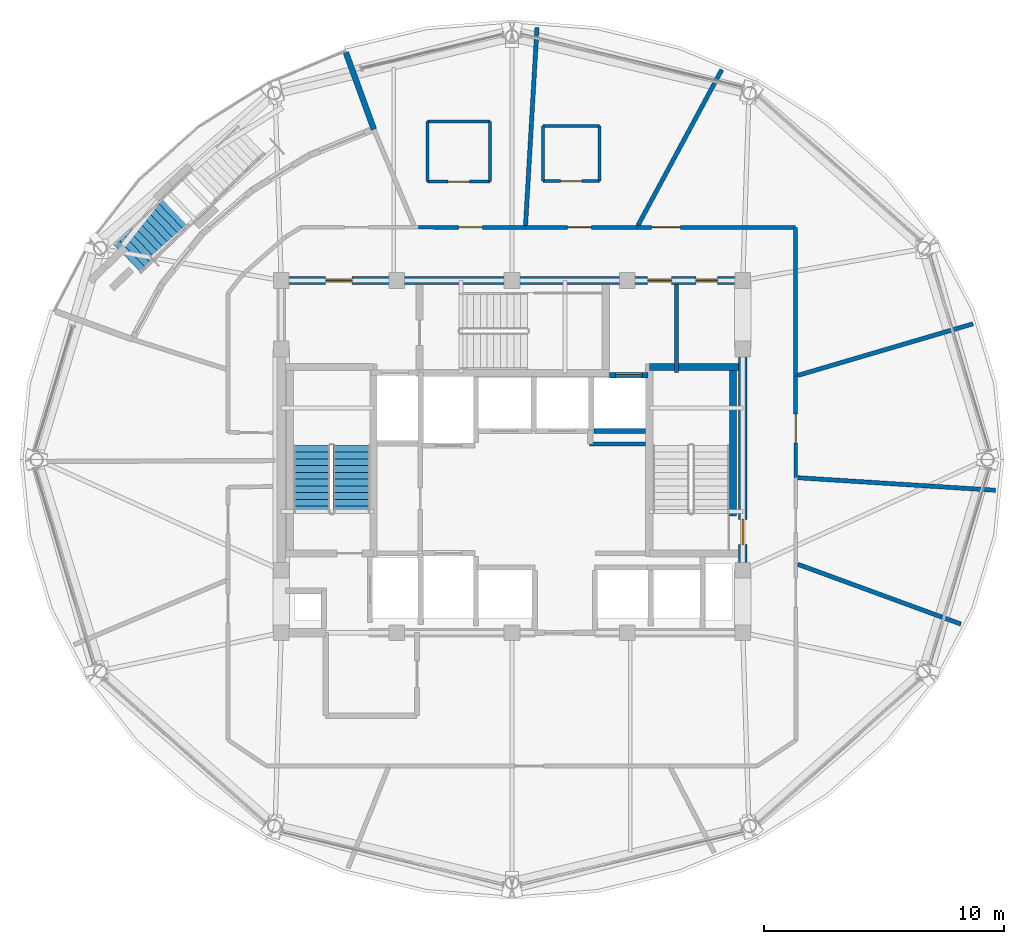
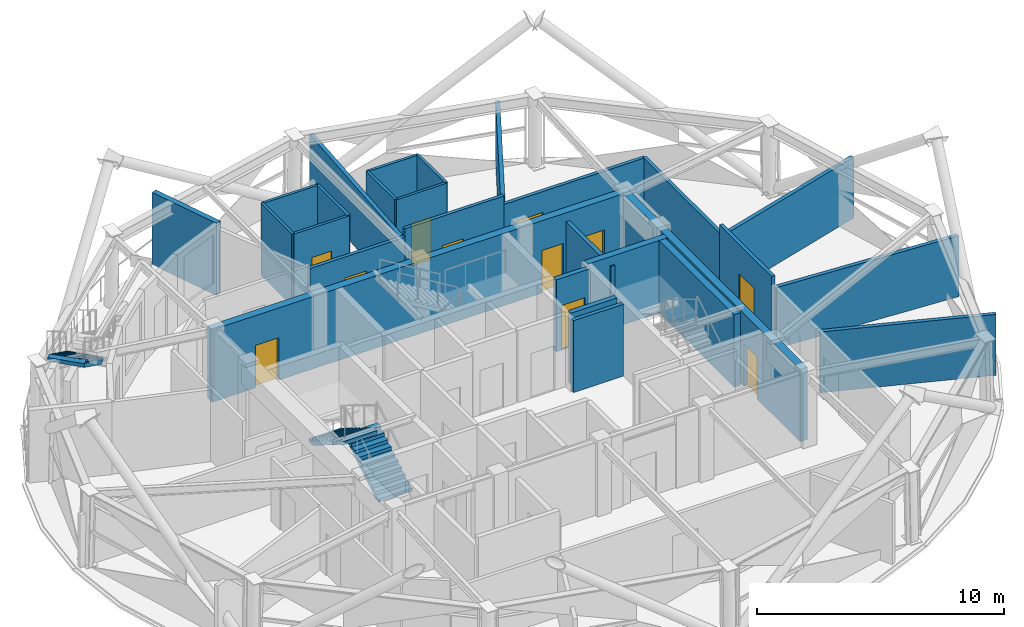
# One storey, part 10 of 16: 27 walls, 11 doors, 3 stair flights, 11 openings, 2 elements without a shape of their own.
"""IFC4 building model written with IfcOpenShell, lengths in metres."""

import ifcopenshell
import ifcopenshell.guid

model = None  # the IFC model being written
_history = None  # IfcOwnerHistory: only IFC2X3 demands one
_inside = {}  # id of a spatial element -> (the spatial element, [elements in it])
_under = {}  # id of a project, library or spatial element -> (it, [spatial elements below it])
_declared = {}  # id of a project -> (the project, [libraries it declares])
_typed = {}  # id of a type object -> (the type object, [elements of that type])
_made_of = {}  # id of a material, layer set ... -> (it, [elements and type objects made of it])


def new_model(schema):
    """Start an empty IFC model of exactly this schema.

    Asked for "IFC4X3", IfcOpenShell would pick the latest addendum, in which some entities
    have other attributes; the version numbers below select the first issue.
    IFC2X3 requires an IfcOwnerHistory on every rooted entity: one is made here for all.
    """
    global model, _history
    if schema == "IFC4X3":
        model = ifcopenshell.file(schema_version=(4, 3, 0, 0))
    else:
        model = ifcopenshell.file(schema=schema)
    _inside.clear()
    _under.clear()
    _declared.clear()
    _typed.clear()
    _made_of.clear()
    _history = None
    if model.schema == "IFC2X3":
        org = make("IfcOrganization", Name="unknown")
        user = make(
            "IfcPersonAndOrganization",
            ThePerson=make("IfcPerson", FamilyName="unknown"),
            TheOrganization=org,
        )
        app = make(
            "IfcApplication",
            ApplicationDeveloper=org,
            Version="unknown",
            ApplicationFullName="unknown",
            ApplicationIdentifier="unknown",
        )
        _history = make(
            "IfcOwnerHistory",
            OwningUser=user,
            OwningApplication=app,
            ChangeAction="ADDED",
            CreationDate=0,
        )
    return model


def make(cls, **values):
    """One entity of the class cls with the attributes given. An attribute that is None is left unset."""
    return model.create_entity(
        cls, **{name: value for name, value in values.items() if value is not None}
    )


def rooted(cls, **values):
    """An entity with a GlobalId (a new one), such as an element, a storey or a relation."""
    return make(cls, GlobalId=ifcopenshell.guid.new(), OwnerHistory=_history, **values)


def si_unit(unit_type, name, prefix=None):
    """IfcSIUnit, for example si_unit("LENGTHUNIT", "METRE", prefix="MILLI")."""
    return make("IfcSIUnit", UnitType=unit_type, Prefix=prefix, Name=name)


def assignment(units):
    """IfcUnitAssignment: the units of a project."""
    return None if units is None else make("IfcUnitAssignment", Units=units)


def point(xyz):
    """IfcCartesianPoint."""
    return None if xyz is None else make("IfcCartesianPoint", Coordinates=xyz)


def direction(xyz):
    """IfcDirection."""
    return None if xyz is None else make("IfcDirection", DirectionRatios=xyz)


def frame(location, z_axis=None, x_axis=None):
    """IfcAxis2Placement3D, a coordinate frame: its origin and axes. An axis left out is left unset."""
    return make(
        "IfcAxis2Placement3D",
        Location=point(location),
        Axis=direction(z_axis),
        RefDirection=direction(x_axis),
    )


def frame_2d(location, x_axis=None):
    """IfcAxis2Placement2D, a coordinate frame in the plane: its origin and x axis."""
    return make(
        "IfcAxis2Placement2D", Location=point(location), RefDirection=direction(x_axis)
    )


def origin():
    """The frame at (0, 0, 0) with its axes left unset."""
    return frame((0.0, 0.0, 0.0))


def place(relative_to, where):
    """IfcLocalPlacement: puts the frame where relative to a parent placement (None: the world)."""
    return make(
        "IfcLocalPlacement", PlacementRelTo=relative_to, RelativePlacement=where
    )


def context(
    kind, dimensions, precision=None, world=None, true_north=None, identifier=None
):
    """IfcGeometricRepresentationContext, for example the 3D "Model" context."""
    return make(
        "IfcGeometricRepresentationContext",
        ContextIdentifier=identifier,
        ContextType=kind,
        CoordinateSpaceDimension=dimensions,
        Precision=precision,
        WorldCoordinateSystem=world,
        TrueNorth=true_north,
    )


def subcontext(parent, identifier, kind, view, scale=None):
    """IfcGeometricRepresentationSubContext, for example "Body" below "Model"."""
    return make(
        "IfcGeometricRepresentationSubContext",
        ContextIdentifier=identifier,
        ContextType=kind,
        ParentContext=parent,
        TargetScale=scale,
        TargetView=view,
    )


def project(units=None, contexts=None):
    """IfcProject with its units and contexts."""
    return rooted(
        "IfcProject",
        Name="project",
        RepresentationContexts=contexts,
        UnitsInContext=assignment(units),
    )


def spatial(cls, under=None, at=None, **own):
    """A site, building, storey or space (cls), placed at a placement, below another one or the project."""
    s = rooted(cls, ObjectPlacement=at, **own)
    if under is not None:
        _under.setdefault(under.id(), (under, []))[1].append(s)
    return s


def polyline(points):
    """IfcPolyline through the points."""
    return make("IfcPolyline", Points=[point(p) for p in points])


def profile(cls, at=None, kind="AREA", **sizes):
    """A parametric profile (cls). Its sizes go by their IFC names, for example OverallWidth=200.0."""
    return make(cls, ProfileType=kind, Position=at, **sizes)


def rectangle(**sizes):
    """IfcRectangleProfileDef."""
    return profile("IfcRectangleProfileDef", **sizes)


def outline(outer, holes=None, kind="AREA"):
    """IfcArbitraryClosedProfileDef: a profile drawn as a closed curve; with holes, ...WithVoids."""
    if holes is None:
        return make("IfcArbitraryClosedProfileDef", ProfileType=kind, OuterCurve=outer)
    return make(
        "IfcArbitraryProfileDefWithVoids",
        ProfileType=kind,
        OuterCurve=outer,
        InnerCurves=holes,
    )


def extrude(swept, where, along, depth):
    """IfcExtrudedAreaSolid: the profile swept, set in the frame where, extruded along a direction by depth."""
    return make(
        "IfcExtrudedAreaSolid",
        SweptArea=swept,
        Position=where,
        ExtrudedDirection=direction(along),
        Depth=depth,
    )


def shape(context_of_items, identifier, shape_type, items):
    """IfcShapeRepresentation: the items that make up one representation, for example the "Body"."""
    return make(
        "IfcShapeRepresentation",
        ContextOfItems=context_of_items,
        RepresentationIdentifier=identifier,
        RepresentationType=shape_type,
        Items=items,
    )


def material(Name=None, Category=None):
    """IfcMaterial."""
    return make("IfcMaterial", Name=Name, Category=Category)


def layer(
    of_material, thickness, ventilated=None, Name=None, Category=None, Priority=None
):
    """IfcMaterialLayer: one layer of a wall or slab, of a material (None: an air gap)."""
    return make(
        "IfcMaterialLayer",
        Material=of_material,
        LayerThickness=thickness,
        IsVentilated=ventilated,
        Name=Name,
        Category=Category,
        Priority=Priority,
    )


def layer_set(layers, Name=None):
    """IfcMaterialLayerSet."""
    return make("IfcMaterialLayerSet", MaterialLayers=layers, LayerSetName=Name)


def made_of(thing, what):
    """Note that an element or type object is made of a material, layer set ...; save() writes the relation."""
    if what is not None:
        _made_of.setdefault(what.id(), (what, []))[1].append(thing)
    return thing


def type_object(cls, material=None, **own):
    """A type object (cls), such as IfcWallType, which elements share."""
    return made_of(rooted(cls, **own), material)


def element(
    cls,
    number,
    at=None,
    inside=None,
    cuts=None,
    type_object=None,
    material=None,
    context=None,
    identifier="Body",
    shape_type=None,
    held_by="IfcProductDefinitionShape",
    body=None,
    shapes=None,
    **own,
):
    """One element of the class cls, such as IfcWall. Its Tag is "e" and its number.

    at: its placement. inside: the storey or other place that contains it. cuts: it is an
    opening in that element (IfcRelVoidsElement). A single representation is given by context,
    identifier, shape_type and body (its items); several are given by shapes. held_by: the class
    of the entity that holds the representations. save() writes the other relations.
    """
    e = rooted(cls, Tag="e%d" % number, ObjectPlacement=at, **own)
    if body is not None:
        shapes = [shape(context, identifier, shape_type, body)]
    if shapes is not None:
        e.Representation = make(held_by, Representations=shapes)
    if inside is not None:
        _inside.setdefault(inside.id(), (inside, []))[1].append(e)
    if cuts is not None:
        rooted(
            "IfcRelVoidsElement", RelatingBuildingElement=cuts, RelatedOpeningElement=e
        )
    if type_object is not None:
        _typed.setdefault(type_object.id(), (type_object, []))[1].append(e)
    return made_of(e, material)


def fill(opening, filler):
    """IfcRelFillsElement: the door or window that sits in an opening."""
    return rooted(
        "IfcRelFillsElement",
        RelatingOpeningElement=opening,
        RelatedBuildingElement=filler,
    )


def aggregate(whole, parts):
    """IfcRelAggregates: a whole, such as a stair, and the parts it consists of."""
    return rooted("IfcRelAggregates", RelatingObject=whole, RelatedObjects=parts)


def save(model, path):
    """Write the relations noted so far, then the file.

    IfcRelAggregates (storeys below a building ...), IfcRelContainedInSpatialStructure (elements
    in a storey), IfcRelDefinesByType, IfcRelAssociatesMaterial and IfcRelDeclares: one each for
    every whole, place, type object, material and project.
    """
    for whole, parts in _under.values():
        aggregate(whole, parts)
    for where, things in _inside.values():
        rooted(
            "IfcRelContainedInSpatialStructure",
            RelatedElements=things,
            RelatingStructure=where,
        )
    for kind, things in _typed.values():
        rooted("IfcRelDefinesByType", RelatedObjects=things, RelatingType=kind)
    for what, things in _made_of.values():
        rooted("IfcRelAssociatesMaterial", RelatedObjects=things, RelatingMaterial=what)
    for by, libraries in _declared.values():
        rooted("IfcRelDeclares", RelatingContext=by, RelatedDefinitions=libraries)
    model.write(path)


model = new_model("IFC4")

# Units and contexts
model_context = context("Model", 3, precision=1e-05, world=origin(), true_north=direction((0.0, 1.0)))
body_context = subcontext(model_context, "Body", "Model", "MODEL_VIEW")
ifc_project = project(units=[si_unit("LENGTHUNIT", "METRE"), si_unit("AREAUNIT", "SQUARE_METRE"), si_unit("VOLUMEUNIT", "CUBIC_METRE"), si_unit("PLANEANGLEUNIT", "RADIAN"), si_unit("MASSUNIT", "GRAM", prefix="KILO")], contexts=[model_context])

# Site, building, storey
site_placement = place(None, origin())
site = spatial("IfcSite", under=ifc_project, at=site_placement, CompositionType="ELEMENT")
building_placement = place(site_placement, origin())
building = spatial("IfcBuilding", under=site, at=building_placement, Name="Vantalir Tower", CompositionType="ELEMENT")
storey_placement = place(building_placement, frame((0.0, 0.0, 267.60009765625)))
storey = spatial("IfcBuildingStorey", under=building, at=storey_placement, Name="L67", CompositionType="ELEMENT", Elevation=267.60009765625)

# Wall, opening, door
ifc_material_1 = material(Name="Moisture-resistant en-suite partition", Category="gypsum")
ifc_layer_1 = layer(ifc_material_1, 0.125)
ifc_layer_set_1 = layer_set([ifc_layer_1], Name="Moisture-resistant en-suite partition")
wall_type_1 = type_object("IfcWallType", Name="WL-BATH-125", PredefinedType="PARTITIONING", material=ifc_layer_set_1)
wall_1_placement = place(storey_placement, frame((32.7958984375, 36.5810546875, 0.0), z_axis=(0.0, 0.0, 1.0), x_axis=(1.0, 0.0, 0.0)))
wall_1 = element("IfcWall", 1, at=wall_1_placement, inside=storey, type_object=wall_type_1, Name="L67 En-suite 02 South Wall", PredefinedType="PARTITIONING", context=body_context, shape_type="SweptSolid", body=[
    extrude(rectangle(XDim=2.35009765625, YDim=0.125, at=frame_2d((1.175048828125, 0.0))), origin(), (0.0, 0.0, 1.0), 3.5498046875),
])
opening_1_placement = place(wall_1_placement, frame((0.72509765625, 0.0, 0.0)))
opening_1 = element("IfcOpeningElement", 2, at=opening_1_placement, cuts=wall_1, Name="Opening D-WC", PredefinedType="OPENING", context=body_context, shape_type="SweptSolid", body=[
    extrude(rectangle(XDim=0.89990234375, YDim=2.10009765625, at=frame_2d((0.449951171875, 1.050048828125))), frame((0.0, 0.072509765625, 0.0), z_axis=(0.0, -1.0, 0.0), x_axis=(1.0, 0.0, 0.0)), (0.0, 0.0, 1.0), 0.14501953125),
])
ifc_material_2 = material(Name="Moisture-resistant hardwood door", Category="wood")
door_type_1 = type_object("IfcDoorType", Name="DR-ENSUITE-900", OperationType="NOTDEFINED", PredefinedType="DOOR", material=ifc_material_2)
door_1_placement = place(opening_1_placement, origin())
door_1 = element("IfcDoor", 3, at=door_1_placement, inside=storey, type_object=door_type_1, Name="L67 En-suite 02 Door", OperationType="SINGLE_SWING_RIGHT", OverallHeight=2.10009765625, OverallWidth=0.89990234375, PredefinedType="DOOR", context=body_context, shape_type="SweptSolid", body=[
    extrude(rectangle(XDim=0.89990234375, YDim=2.10009765625, at=frame_2d((0.449951171875, 1.050048828125))), frame((0.0, 0.02490234375, 0.0), z_axis=(0.0, -1.0, 0.0), x_axis=(1.0, 0.0, 0.0)), (0.0, 0.0, 1.0), 0.050048828125),
])
fill(opening_1, door_1)

# Walls
wall_2_placement = place(storey_placement, frame((32.7958984375, 38.881103515625, 0.0), z_axis=(0.0, 0.0, 1.0), x_axis=(1.0, 0.0, 0.0)))
element("IfcWall", 4, at=wall_2_placement, inside=storey, type_object=wall_type_1, Name="L67 En-suite 02 North Wall", PredefinedType="PARTITIONING", context=body_context, shape_type="SweptSolid", body=[
    extrude(rectangle(XDim=2.35009765625, YDim=0.125, at=frame_2d((1.175048828125, 0.0))), origin(), (0.0, 0.0, 1.0), 3.5498046875),
])
for number, where, z_axis, x_axis, name in (
    (5, (32.7958984375, 36.5810546875, 0.0), (0.0, 0.0, 1.0), (0.0, 1.0, 0.0), "L67 En-suite 02 West Wall"),
    (6, (35.14599609375, 36.5810546875, 0.0), (0.0, 0.0, 1.0), (0.0, 1.0, 0.0), "L67 En-suite 02 East Wall"),
):
    element("IfcWall", number, at=place(storey_placement, frame(where, z_axis=z_axis, x_axis=x_axis)), inside=storey, type_object=wall_type_1, Name=name, PredefinedType="PARTITIONING", context=body_context, shape_type="SweptSolid", body=[
        extrude(rectangle(XDim=2.300048828125, YDim=0.125, at=frame_2d((1.14990234375, 0.0))), origin(), (0.0, 0.0, 1.0), 3.5498046875),
    ])

# Wall, opening, door
wall_3_placement = place(storey_placement, frame((27.98388671875, 36.56103515625, 0.0), z_axis=(0.0, 0.0, 1.0), x_axis=(1.0, 0.0, 0.0)))
wall_3 = element("IfcWall", 7, at=wall_3_placement, inside=storey, type_object=wall_type_1, Name="L67 En-suite 03 South Wall", PredefinedType="PARTITIONING", context=body_context, shape_type="SweptSolid", body=[
    extrude(rectangle(XDim=2.60009765625, YDim=0.125, at=frame_2d((1.300048828125, 0.0))), origin(), (0.0, 0.0, 1.0), 3.5498046875),
])
opening_2_placement = place(wall_3_placement, frame((0.85009765625, 0.0, 0.0)))
opening_2 = element("IfcOpeningElement", 8, at=opening_2_placement, cuts=wall_3, Name="Opening D-WC", PredefinedType="OPENING", context=body_context, shape_type="SweptSolid", body=[
    extrude(rectangle(XDim=0.89990234375, YDim=2.10009765625, at=frame_2d((0.449951171875, 1.050048828125))), frame((0.0, 0.072509765625, 0.0), z_axis=(0.0, -1.0, 0.0), x_axis=(1.0, 0.0, 0.0)), (0.0, 0.0, 1.0), 0.14501953125),
])
door_2_placement = place(opening_2_placement, origin())
door_2 = element("IfcDoor", 9, at=door_2_placement, inside=storey, type_object=door_type_1, Name="L67 En-suite 03 Door", OperationType="SINGLE_SWING_LEFT", OverallHeight=2.10009765625, OverallWidth=0.89990234375, PredefinedType="DOOR", context=body_context, shape_type="SweptSolid", body=[
    extrude(rectangle(XDim=0.89990234375, YDim=2.10009765625, at=frame_2d((0.449951171875, 1.050048828125))), frame((0.0, 0.02490234375, 0.0), z_axis=(0.0, -1.0, 0.0), x_axis=(1.0, 0.0, 0.0)), (0.0, 0.0, 1.0), 0.050048828125),
])
fill(opening_2, door_2)

# Walls
wall_4_placement = place(storey_placement, frame((27.98388671875, 39.06103515625, 0.0), z_axis=(0.0, 0.0, 1.0), x_axis=(1.0, 0.0, 0.0)))
element("IfcWall", 10, at=wall_4_placement, inside=storey, type_object=wall_type_1, Name="L67 En-suite 03 North Wall", PredefinedType="PARTITIONING", context=body_context, shape_type="SweptSolid", body=[
    extrude(rectangle(XDim=2.60009765625, YDim=0.125, at=frame_2d((1.300048828125, 0.0))), origin(), (0.0, 0.0, 1.0), 3.5498046875),
])
for number, where, z_axis, x_axis, name in (
    (11, (27.98388671875, 36.56103515625, 0.0), (0.0, 0.0, 1.0), (0.0, 1.0, 0.0), "L67 En-suite 03 West Wall"),
    (12, (30.583984375, 36.56103515625, 0.0), (0.0, 0.0, 1.0), (0.0, 1.0, 0.0), "L67 En-suite 03 East Wall"),
):
    element("IfcWall", number, at=place(storey_placement, frame(where, z_axis=z_axis, x_axis=x_axis)), inside=storey, type_object=wall_type_1, Name=name, PredefinedType="PARTITIONING", context=body_context, shape_type="SweptSolid", body=[
        extrude(rectangle(XDim=2.5, YDim=0.125, at=frame_2d((1.25, 0.0))), origin(), (0.0, 0.0, 1.0), 3.5498046875),
    ])

# Wall, openings, doors
ifc_material_3 = material(Name="Concrete C50/60", Category="concrete")
ifc_layer_2 = layer(ifc_material_3, 0.35009765625)
ifc_layer_set_2 = layer_set([ifc_layer_2], Name="Concrete C50/60")
wall_type_2 = type_object("IfcWallType", Name="WL-CORE-350", PredefinedType="SHEAR", material=ifc_layer_set_2)
wall_5_placement = place(storey_placement, frame((21.72509765625, 32.449951171875, 0.0), z_axis=(0.0, 0.0, 1.0), x_axis=(1.0, 0.0, 0.0)))
wall_5 = element("IfcWall", 13, at=wall_5_placement, inside=storey, type_object=wall_type_2, Name="L67 Core Shear Wall North", PredefinedType="SHEAR", context=body_context, shape_type="SweptSolid", body=[
    extrude(rectangle(XDim=19.5498046875, YDim=0.35009765625, at=frame_2d((9.77490234375, 0.0))), origin(), (0.0, 0.0, 1.0), 3.56982421875),
])
opening_3_placement = place(wall_5_placement, frame((2.02490234375, 0.0, 0.0)))
opening_3 = element("IfcOpeningElement", 14, at=opening_3_placement, cuts=wall_5, Name="Opening D-FFL", PredefinedType="OPENING", context=body_context, shape_type="SweptSolid", body=[
    extrude(rectangle(XDim=1.10009765625, YDim=2.10009765625, at=frame_2d((0.550048828125, 1.050048828125))), frame((0.0, 0.18505859375, 0.0), z_axis=(0.0, -1.0, 0.0), x_axis=(1.0, 0.0, 0.0)), (0.0, 0.0, 1.0), 0.3701171875),
])
opening_4_placement = place(wall_5_placement, frame((15.4150390625, 0.0, 0.0)))
opening_4 = element("IfcOpeningElement", 15, at=opening_4_placement, cuts=wall_5, Name="Opening D-GUEST", PredefinedType="OPENING", context=body_context, shape_type="SweptSolid", body=[
    extrude(rectangle(XDim=1.0, YDim=2.10009765625, at=frame_2d((0.5, 1.050048828125))), frame((0.0, 0.18505859375, 0.0), z_axis=(0.0, -1.0, 0.0), x_axis=(1.0, 0.0, 0.0)), (0.0, 0.0, 1.0), 0.3701171875),
])
opening_5_placement = place(wall_5_placement, frame((17.425048828125, 0.0, 0.0)))
opening_5 = element("IfcOpeningElement", 16, at=opening_5_placement, cuts=wall_5, Name="Opening D-CR", PredefinedType="OPENING", context=body_context, shape_type="SweptSolid", body=[
    extrude(rectangle(XDim=0.89990234375, YDim=2.10009765625, at=frame_2d((0.449951171875, 1.050048828125))), frame((0.0, 0.18505859375, 0.0), z_axis=(0.0, -1.0, 0.0), x_axis=(1.0, 0.0, 0.0)), (0.0, 0.0, 1.0), 0.3701171875),
])
ifc_material_4 = material(Name="Fire-rated steel core service door", Category="steel")
door_type_2 = type_object("IfcDoorType", Name="DR-CORE-SERV-900", OperationType="NOTDEFINED", PredefinedType="DOOR", material=ifc_material_4)
door_3_placement = place(opening_5_placement, frame((0.89990234375, 0.0, 0.0), z_axis=(0.0, 0.0, 1.0), x_axis=(-1.0, 0.0, 0.0)))
door_3 = element("IfcDoor", 17, at=door_3_placement, inside=storey, type_object=door_type_2, Name="L67 Housekeeping and Linen Room Door", OperationType="SINGLE_SWING_RIGHT", OverallHeight=2.10009765625, OverallWidth=0.89990234375, PredefinedType="DOOR", context=body_context, shape_type="SweptSolid", body=[
    extrude(rectangle(XDim=0.89990234375, YDim=2.10009765625, at=frame_2d((0.449951171875, 1.050048828125))), frame((0.0, 0.02490234375, 0.0), z_axis=(0.0, -1.0, 0.0), x_axis=(1.0, 0.0, 0.0)), (0.0, 0.0, 1.0), 0.050048828125),
])
fill(opening_5, door_3)
ifc_material_5 = material(Name="Fire-rated acoustic steel door", Category="steel")
door_type_3 = type_object("IfcDoorType", Name="DR-FIRE-LOBBY-1100", OperationType="NOTDEFINED", PredefinedType="DOOR", material=ifc_material_5)
door_4_placement = place(opening_3_placement, frame((1.10009765625, 0.0, 0.0), z_axis=(0.0, 0.0, 1.0), x_axis=(-1.0, 0.0, 0.0)))
door_4 = element("IfcDoor", 18, at=door_4_placement, inside=storey, type_object=door_type_3, Name="L67 Firefighting Lobby East Access Door", OperationType="SINGLE_SWING_LEFT", OverallHeight=2.10009765625, OverallWidth=1.10009765625, PredefinedType="DOOR", context=body_context, shape_type="SweptSolid", body=[
    extrude(rectangle(XDim=1.10009765625, YDim=2.10009765625, at=frame_2d((0.550048828125, 1.050048828125))), frame((0.0, 0.02490234375, 0.0), z_axis=(0.0, -1.0, 0.0), x_axis=(1.0, 0.0, 0.0)), (0.0, 0.0, 1.0), 0.050048828125),
])
fill(opening_3, door_4)
ifc_material_6 = material(Name="Solid-core teak veneer acoustic fire door", Category="wood")
door_type_4 = type_object("IfcDoorType", Name="DR-GUEST-ENTRY-1000", OperationType="NOTDEFINED", PredefinedType="DOOR", material=ifc_material_6)
door_5_placement = place(opening_4_placement, frame((1.0, 0.0, 0.0), z_axis=(0.0, 0.0, 1.0), x_axis=(-1.0, 0.0, 0.0)))
door_5 = element("IfcDoor", 19, at=door_5_placement, inside=storey, type_object=door_type_4, Name="L67 High-Rise Lift Lobby Door", OperationType="SINGLE_SWING_LEFT", OverallHeight=2.10009765625, OverallWidth=1.0, PredefinedType="DOOR", context=body_context, shape_type="SweptSolid", body=[
    extrude(rectangle(XDim=1.0, YDim=2.10009765625, at=frame_2d((0.5, 1.050048828125))), frame((0.0, 0.02490234375, 0.0), z_axis=(0.0, -1.0, 0.0), x_axis=(1.0, 0.0, 0.0)), (0.0, 0.0, 1.0), 0.050048828125),
])
fill(opening_4, door_5)

# Wall, opening, door
wall_6_placement = place(storey_placement, frame((41.10009765625, 17.97509765625, 0.0), z_axis=(0.0, 0.0, 1.0), x_axis=(0.0, 1.0, 0.0)))
wall_6 = element("IfcWall", 20, at=wall_6_placement, inside=storey, type_object=wall_type_2, Name="L67 Core Shear Wall East", PredefinedType="SHEAR", context=body_context, shape_type="SweptSolid", body=[
    extrude(rectangle(XDim=14.2998046875, YDim=0.35009765625, at=frame_2d((7.14990234375, 0.0))), origin(), (0.0, 0.0, 1.0), 3.56982421875),
])
opening_6_placement = place(wall_6_placement, frame((3.485107421875, 0.0, 0.0)))
opening_6 = element("IfcOpeningElement", 21, at=opening_6_placement, cuts=wall_6, Name="Opening D-ST", PredefinedType="OPENING", context=body_context, shape_type="SweptSolid", body=[
    extrude(rectangle(XDim=1.050048828125, YDim=2.10009765625, at=frame_2d((0.52490234375, 1.050048828125))), frame((0.0, 0.18505859375, 0.0), z_axis=(0.0, -1.0, 0.0), x_axis=(1.0, 0.0, 0.0)), (0.0, 0.0, 1.0), 0.3701171875),
])
ifc_material_7 = material(Name="Fire-rated steel door leaf", Category="steel")
door_type_5 = type_object("IfcDoorType", Name="DR-FIRE-STAIR-1050", OperationType="NOTDEFINED", PredefinedType="DOOR", material=ifc_material_7)
door_6_placement = place(opening_6_placement, origin())
door_6 = element("IfcDoor", 22, at=door_6_placement, inside=storey, type_object=door_type_5, Name="L67 Exit Stair ST2 Fire Door", OperationType="SINGLE_SWING_LEFT", OverallHeight=2.10009765625, OverallWidth=1.050048828125, PredefinedType="DOOR", context=body_context, shape_type="SweptSolid", body=[
    extrude(rectangle(XDim=1.050048828125, YDim=2.10009765625, at=frame_2d((0.52490234375, 1.050048828125))), frame((0.0, 0.02490234375, 0.0), z_axis=(0.0, -1.0, 0.0), x_axis=(1.0, 0.0, 0.0)), (0.0, 0.0, 1.0), 0.050048828125),
])
fill(opening_6, door_6)

ifc_material_8 = material(Name="Fire-rated hotel corridor acoustic partition", Category="gypsum")
ifc_layer_3 = layer(ifc_material_8, 0.159912109375)
ifc_layer_set_3 = layer_set([ifc_layer_3], Name="Fire-rated hotel corridor acoustic partition")
wall_type_3 = type_object("IfcWallType", Name="WL-CORR-160", PredefinedType="PARTITIONING", material=ifc_layer_set_3)
wall_7_placement = place(storey_placement, frame((27.62109375, 34.662109375, 0.0), z_axis=(0.0, 0.0, 1.0), x_axis=(0.999999962172, -0.000275057752, 0.0)))
wall_7 = element("IfcWall", 23, at=wall_7_placement, inside=storey, type_object=wall_type_3, Name="L67 Corridor Partition 08", PredefinedType="PARTITIONING", context=body_context, shape_type="SweptSolid", body=[
    extrude(rectangle(XDim=4.43798828125, YDim=0.159912109375, at=frame_2d((2.218994140625, 0.0))), origin(), (0.0, 0.0, 1.0), 3.1318359375),
])
opening_7_placement = place(wall_7_placement, frame((1.64501953125, 0.0, 0.0)))
opening_7 = element("IfcOpeningElement", 24, at=opening_7_placement, cuts=wall_7, Name="Opening D-GUEST", PredefinedType="OPENING", context=body_context, shape_type="SweptSolid", body=[
    extrude(rectangle(XDim=1.0, YDim=2.10009765625, at=frame_2d((0.5, 1.050048828125))), frame((0.0, 0.08984375, 0.0), z_axis=(0.0, -1.0, 0.0), x_axis=(1.0, 0.0, 0.0)), (0.0, 0.0, 1.0), 0.179931640625),
])
door_7_placement = place(opening_7_placement, origin())
door_7 = element("IfcDoor", 25, at=door_7_placement, inside=storey, type_object=door_type_4, Name="L67 Twin Queen Hotel Room 03 Door", OperationType="SINGLE_SWING_LEFT", OverallHeight=2.10009765625, OverallWidth=1.0, PredefinedType="DOOR", context=body_context, shape_type="SweptSolid", body=[
    extrude(rectangle(XDim=1.0, YDim=2.10009765625, at=frame_2d((0.5, 1.050048828125))), frame((0.0, 0.02490234375, 0.0), z_axis=(0.0, -1.0, 0.0), x_axis=(1.0, 0.0, 0.0)), (0.0, 0.0, 1.0), 0.050048828125),
])
fill(opening_7, door_7)

wall_8_placement = place(storey_placement, frame((32.05908203125, 34.660888671875, 0.0), z_axis=(0.0, 0.0, 1.0), x_axis=(1.0, 0.0, 0.0)))
wall_8 = element("IfcWall", 26, at=wall_8_placement, inside=storey, type_object=wall_type_3, Name="L67 Corridor Partition 09", PredefinedType="PARTITIONING", context=body_context, shape_type="SweptSolid", body=[
    extrude(rectangle(XDim=4.637939453125, YDim=0.159912109375, at=frame_2d((2.31884765625, 0.0))), origin(), (0.0, 0.0, 1.0), 3.5498046875),
])
opening_8_placement = place(wall_8_placement, frame((1.7470703125, 0.0, 0.0)))
opening_8 = element("IfcOpeningElement", 27, at=opening_8_placement, cuts=wall_8, Name="Opening D-GUEST", PredefinedType="OPENING", context=body_context, shape_type="SweptSolid", body=[
    extrude(rectangle(XDim=1.0, YDim=2.10009765625, at=frame_2d((0.5, 1.050048828125))), frame((0.0, 0.08984375, 0.0), z_axis=(0.0, -1.0, 0.0), x_axis=(1.0, 0.0, 0.0)), (0.0, 0.0, 1.0), 0.179931640625),
])
door_8_placement = place(opening_8_placement, origin())
door_8 = element("IfcDoor", 28, at=door_8_placement, inside=storey, type_object=door_type_4, Name="L67 Deluxe King Hotel Room 02 Door", OperationType="SINGLE_SWING_RIGHT", OverallHeight=2.10009765625, OverallWidth=1.0, PredefinedType="DOOR", context=body_context, shape_type="SweptSolid", body=[
    extrude(rectangle(XDim=1.0, YDim=2.10009765625, at=frame_2d((0.5, 1.050048828125))), frame((0.0, 0.02490234375, 0.0), z_axis=(0.0, -1.0, 0.0), x_axis=(1.0, 0.0, 0.0)), (0.0, 0.0, 1.0), 0.050048828125),
])
fill(opening_8, door_8)

wall_9_placement = place(storey_placement, frame((36.697021484375, 34.660888671875, 0.0), z_axis=(0.0, 0.0, 1.0), x_axis=(0.999999989043, -0.00014803301, 0.0)))
wall_9 = element("IfcWall", 29, at=wall_9_placement, inside=storey, type_object=wall_type_3, Name="L67 Corridor Partition 10", PredefinedType="PARTITIONING", context=body_context, shape_type="SweptSolid", body=[
    extrude(rectangle(XDim=6.596923828125, YDim=0.159912109375, at=frame_2d((3.29833984375, 0.0))), origin(), (0.0, 0.0, 1.0), 3.1318359375),
])
opening_9_placement = place(wall_9_placement, frame((0.60791015625, 0.0, 0.0)))
opening_9 = element("IfcOpeningElement", 30, at=opening_9_placement, cuts=wall_9, Name="Opening D-STE", PredefinedType="OPENING", context=body_context, shape_type="SweptSolid", body=[
    extrude(rectangle(XDim=1.199951171875, YDim=2.10009765625, at=frame_2d((0.60009765625, 1.050048828125))), frame((0.0, 0.08984375, 0.0), z_axis=(0.0, -1.0, 0.0), x_axis=(1.0, 0.0, 0.0)), (0.0, 0.0, 1.0), 0.179931640625),
])
ifc_material_9 = material(Name="Solid-core teak veneer suite entrance door", Category="wood")
door_type_6 = type_object("IfcDoorType", Name="DR-SUITE-ENTRY-1200", OperationType="NOTDEFINED", PredefinedType="DOOR", material=ifc_material_9)
door_9_placement = place(opening_9_placement, origin())
door_9 = element("IfcDoor", 31, at=door_9_placement, inside=storey, type_object=door_type_6, Name="L67 Club Reading Lounge 01 Door", OperationType="SINGLE_SWING_LEFT", OverallHeight=2.10009765625, OverallWidth=1.199951171875, PredefinedType="DOOR", context=body_context, shape_type="SweptSolid", body=[
    extrude(rectangle(XDim=1.199951171875, YDim=2.10009765625, at=frame_2d((0.60009765625, 1.050048828125))), frame((0.0, 0.02490234375, 0.0), z_axis=(0.0, -1.0, 0.0), x_axis=(1.0, 0.0, 0.0)), (0.0, 0.0, 1.0), 0.050048828125),
])
fill(opening_9, door_9)

# Wall
wall_10_placement = place(storey_placement, frame((43.2939453125, 34.659912109375, 0.0), z_axis=(0.0, 0.0, 1.0), x_axis=(0.00067106131, -0.999999774838, 0.0)))
element("IfcWall", 32, at=wall_10_placement, inside=storey, type_object=wall_type_3, Name="L67 Corridor Partition 11", PredefinedType="PARTITIONING", context=body_context, shape_type="SweptSolid", body=[
    extrude(rectangle(XDim=6.184814453125, YDim=0.159912109375, at=frame_2d((3.09228515625, 0.0))), origin(), (0.0, 0.0, 1.0), 3.1318359375),
])

# Wall, opening, door
wall_11_placement = place(storey_placement, frame((43.298095703125, 28.47509765625, 0.0), z_axis=(0.0, 0.0, 1.0), x_axis=(0.000693721651, -0.999999759375, 0.0)))
wall_11 = element("IfcWall", 33, at=wall_11_placement, inside=storey, type_object=wall_type_3, Name="L67 Corridor Partition 12", PredefinedType="PARTITIONING", context=body_context, shape_type="SweptSolid", body=[
    extrude(rectangle(XDim=4.22314453125, YDim=0.159912109375, at=frame_2d((2.111572265625, 0.0))), origin(), (0.0, 0.0, 1.0), 3.5498046875),
])
opening_10_placement = place(wall_11_placement, frame((1.5830078125, 0.0, 0.0)))
opening_10 = element("IfcOpeningElement", 34, at=opening_10_placement, cuts=wall_11, Name="Opening D-STE", PredefinedType="OPENING", context=body_context, shape_type="SweptSolid", body=[
    extrude(rectangle(XDim=1.199951171875, YDim=2.10009765625, at=frame_2d((0.60009765625, 1.050048828125))), frame((0.0, 0.08984375, 0.0), z_axis=(0.0, -1.0, 0.0), x_axis=(1.0, 0.0, 0.0)), (0.0, 0.0, 1.0), 0.179931640625),
])
door_10_placement = place(opening_10_placement, origin())
door_10 = element("IfcDoor", 35, at=door_10_placement, inside=storey, type_object=door_type_6, Name="L67 Club Reading Lounge 11 Door", OperationType="SINGLE_SWING_LEFT", OverallHeight=2.10009765625, OverallWidth=1.199951171875, PredefinedType="DOOR", context=body_context, shape_type="SweptSolid", body=[
    extrude(rectangle(XDim=1.199951171875, YDim=2.10009765625, at=frame_2d((0.60009765625, 1.050048828125))), frame((0.0, 0.02490234375, 0.0), z_axis=(0.0, -1.0, 0.0), x_axis=(1.0, 0.0, 0.0)), (0.0, 0.0, 1.0), 0.050048828125),
])
fill(opening_10, door_10)

# Walls
ifc_material_10 = material(Name="Precast concrete C40/50 insulated sky-garden wall", Category="concrete")
ifc_layer_4 = layer(ifc_material_10, 0.239990234375)
ifc_layer_set_4 = layer_set([ifc_layer_4], Name="Precast concrete C40/50 insulated sky-garden wall")
wall_type_4 = type_object("IfcWallType", Name="WL-EXT-SG-240", PredefinedType="SOLIDWALL", material=ifc_layer_set_4)
wall_12_placement = place(storey_placement, frame((24.591064453125, 41.93408203125, 0.0), z_axis=(0.0, 0.0, 1.0), x_axis=(0.342002487902, -0.939699046647, 0.0)))
element("IfcWall", 36, at=wall_12_placement, inside=storey, type_object=wall_type_4, Name="L67 SG4 Sky-Garden Return Wall A", PredefinedType="SOLIDWALL", context=body_context, shape_type="SweptSolid", body=[
    extrude(rectangle(XDim=3.400146484375, YDim=0.239990234375, at=frame_2d((1.7001953125, 0.0))), origin(), (0.0, 0.0, 1.0), 3.56982421875),
])
ifc_material_11 = material(Name="Concrete blockwork with fireboard lining", Category="masonry")
ifc_layer_5 = layer(ifc_material_11, 0.219970703125)
ifc_layer_set_5 = layer_set([ifc_layer_5], Name="Concrete blockwork with fireboard lining")
wall_type_5 = type_object("IfcWallType", Name="WL-FFL-220", PredefinedType="PARTITIONING", material=ifc_layer_set_5)
wall_13_placement = place(storey_placement, frame((34.909912109375, 26.18994140625, 0.0), z_axis=(0.0, 0.0, 1.0), x_axis=(1.0, 0.0, 0.0)))
element("IfcWall", 37, at=wall_13_placement, inside=storey, type_object=wall_type_5, Name="L67 High-Rise Lift PL-H3 Rear Shaft Wall", PredefinedType="PARTITIONING", context=body_context, shape_type="SweptSolid", body=[
    extrude(rectangle(XDim=2.14013671875, YDim=0.219970703125, at=frame_2d((1.070068359375, 0.0))), origin(), (0.0, 0.0, 1.0), 3.544921875),
])

# Wall, opening, door
wall_14_placement = place(storey_placement, frame((35.56005859375, 28.510009765625, 0.0), z_axis=(0.0, 0.0, 1.0), x_axis=(1.0, 0.0, 0.0)))
wall_14 = element("IfcWall", 38, at=wall_14_placement, inside=storey, type_object=wall_type_5, Name="L67 Lift PL-H3 Shaft Front Wall", PredefinedType="PARTITIONING", context=body_context, shape_type="SweptSolid", body=[
    extrude(rectangle(XDim=1.599853515625, YDim=0.219970703125, at=frame_2d((0.7998046875, 0.0))), origin(), (0.0, 0.0, 1.0), 3.5498046875),
])
opening_11_placement = place(wall_14_placement, frame((0.25, 0.0, 0.0)))
opening_11 = element("IfcOpeningElement", 39, at=opening_11_placement, cuts=wall_14, Name="Opening LD-PL-H3", PredefinedType="OPENING", context=body_context, shape_type="SweptSolid", body=[
    extrude(rectangle(XDim=1.10009765625, YDim=2.199951171875, at=frame_2d((0.550048828125, 1.10009765625))), frame((0.0, 0.119873046875, 0.0), z_axis=(0.0, -1.0, 0.0), x_axis=(1.0, 0.0, 0.0)), (0.0, 0.0, 1.0), 0.239990234375),
])
ifc_material_12 = material(Name="Brushed stainless-steel sliding lift landing door", Category="steel")
door_type_7 = type_object("IfcDoorType", Name="DR-LIFT-LANDING-1100", OperationType="DOUBLE_DOOR_SLIDING", PredefinedType="DOOR", material=ifc_material_12)
door_11_placement = place(opening_11_placement, origin())
door_11 = element("IfcDoor", 40, at=door_11_placement, inside=storey, type_object=door_type_7, Name="L67 Lift Landing Door PL-H3", OperationType="DOUBLE_DOOR_SLIDING", OverallHeight=2.199951171875, OverallWidth=1.10009765625, PredefinedType="DOOR", context=body_context, shape_type="SweptSolid", body=[
    extrude(rectangle(XDim=1.10009765625, YDim=2.199951171875, at=frame_2d((0.550048828125, 1.10009765625))), frame((0.0, 0.02490234375, 0.0), z_axis=(0.0, -1.0, 0.0), x_axis=(1.0, 0.0, 0.0)), (0.0, 0.0, 1.0), 0.050048828125),
])
fill(opening_11, door_11)

# Walls
ifc_material_13 = material(Name="Twin-stud acoustic fire-rated gypsum partition", Category="gypsum")
ifc_layer_6 = layer(ifc_material_13, 0.179931640625)
ifc_layer_set_6 = layer_set([ifc_layer_6], Name="Twin-stud acoustic fire-rated gypsum partition")
wall_type_6 = type_object("IfcWallType", Name="WL-GUEST-180", PredefinedType="PARTITIONING", material=ifc_layer_set_6)
wall_15_placement = place(storey_placement, frame((34.719970703125, 25.64990234375, 0.0), z_axis=(0.0, 0.0, 1.0), x_axis=(1.0, 0.0, 0.0)))
element("IfcWall", 41, at=wall_15_placement, inside=storey, type_object=wall_type_6, Name="L67 Freed East Core North Wall", PredefinedType="PARTITIONING", context=body_context, shape_type="SweptSolid", body=[
    extrude(rectangle(XDim=2.340087890625, YDim=0.179931640625, at=frame_2d((1.169921875, 0.0))), origin(), (0.0, 0.0, 1.0), 3.5498046875),
])
wall_16_placement = place(storey_placement, frame((38.340087890625, 28.6201171875, 0.0), z_axis=(0.0, 0.0, 1.0), x_axis=(0.0, 1.0, 0.0)))
element("IfcWall", 42, at=wall_16_placement, inside=storey, type_object=wall_type_6, Name="L67 High-Rise Lift Lobby East Wall", PredefinedType="PARTITIONING", context=body_context, shape_type="SweptSolid", body=[
    extrude(rectangle(XDim=3.65478515625, YDim=0.179931640625, at=frame_2d((1.827392578125, 0.0))), origin(), (0.0, 0.0, 1.0), 3.1318359375),
])
wall_17_placement = place(storey_placement, frame((43.389892578125, 28.5029296875, 0.0), z_axis=(0.0, 0.0, 1.0), x_axis=(0.959268210471, 0.282496903311, 0.0)))
element("IfcWall", 43, at=wall_17_placement, inside=storey, type_object=wall_type_6, Name="L67 Radial Suite Partition 01", PredefinedType="PARTITIONING", context=body_context, shape_type="SweptSolid", body=[
    extrude(rectangle(XDim=7.596435546875, YDim=0.179931640625, at=frame_2d((3.79833984375, 0.0))), origin(), (0.0, 0.0, 1.0), 3.0029296875),
])
wall_18_placement = place(storey_placement, frame((36.739990234375, 34.739990234375, 0.0), z_axis=(0.0, 0.0, 1.0), x_axis=(0.473816910896, 0.880623378607, 0.0)))
element("IfcWall", 44, at=wall_18_placement, inside=storey, type_object=wall_type_6, Name="L67 Radial Suite Partition 02", PredefinedType="PARTITIONING", context=body_context, shape_type="SweptSolid", body=[
    extrude(rectangle(XDim=7.359619140625, YDim=0.179931640625, at=frame_2d((3.6796875, 0.0))), origin(), (0.0, 0.0, 1.0), 3.0029296875),
])
wall_19_placement = place(storey_placement, frame((32.06298828125, 34.739990234375, 0.0), z_axis=(0.0, 0.0, 1.0), x_axis=(0.057804626935, 0.998327914618, 0.0)))
element("IfcWall", 45, at=wall_19_placement, inside=storey, type_object=wall_type_6, Name="L67 Radial Suite Partition 03", PredefinedType="PARTITIONING", context=body_context, shape_type="SweptSolid", body=[
    extrude(rectangle(XDim=8.2529296875, YDim=0.179931640625, at=frame_2d((4.12646484375, 0.0))), origin(), (0.0, 0.0, 1.0), 3.0029296875),
])
wall_20_placement = place(storey_placement, frame((43.389892578125, 20.64501953125, 0.0), z_axis=(0.0, 0.0, 1.0), x_axis=(0.938952763894, -0.344046082926, 0.0)))
element("IfcWall", 46, at=wall_20_placement, inside=storey, type_object=wall_type_6, Name="L67 Radial Suite Partition 10", PredefinedType="PARTITIONING", context=body_context, shape_type="SweptSolid", body=[
    extrude(rectangle(XDim=7.22314453125, YDim=0.179931640625, at=frame_2d((3.611572265625, 0.0))), origin(), (0.0, 0.0, 1.0), 3.0029296875),
])
wall_21_placement = place(storey_placement, frame((43.389892578125, 24.24609375, 0.0), z_axis=(0.0, 0.0, 1.0), x_axis=(0.997999897099, -0.063215547059, 0.0)))
element("IfcWall", 47, at=wall_21_placement, inside=storey, type_object=wall_type_6, Name="L67 Radial Suite Partition 11", PredefinedType="PARTITIONING", context=body_context, shape_type="SweptSolid", body=[
    extrude(rectangle(XDim=8.24169921875, YDim=0.179931640625, at=frame_2d((4.120849609375, 0.0))), origin(), (0.0, 0.0, 1.0), 3.0029296875),
])
ifc_layer_7 = layer(ifc_material_3, 0.300048828125)
ifc_layer_set_7 = layer_set([ifc_layer_7], Name="Concrete C50/60")
wall_type_7 = type_object("IfcWallType", Name="WL-STAIR-300", PredefinedType="SHEAR", material=ifc_layer_set_7)
wall_22_placement = place(storey_placement, frame((37.2099609375, 28.85009765625, 0.0), z_axis=(0.0, 0.0, 1.0), x_axis=(1.0, 0.0, 0.0)))
element("IfcWall", 48, at=wall_22_placement, inside=storey, type_object=wall_type_7, Name="L67 Stair ST2 North Wall", PredefinedType="SHEAR", context=body_context, shape_type="SweptSolid", body=[
    extrude(rectangle(XDim=3.715087890625, YDim=0.300048828125, at=frame_2d((1.857421875, 0.0))), origin(), (0.0, 0.0, 1.0), 3.56982421875),
])
wall_23_placement = place(storey_placement, frame((40.68994140625, 22.64990234375, 0.0), z_axis=(0.0, 0.0, 1.0), x_axis=(0.0, 1.0, 0.0)))
element("IfcWall", 49, at=wall_23_placement, inside=storey, type_object=wall_type_7, Name="L67 Stair ST2 East Liner Wall", PredefinedType="SHEAR", context=body_context, shape_type="SweptSolid", body=[
    extrude(rectangle(XDim=6.2001953125, YDim=0.300048828125, at=frame_2d((3.10009765625, 0.0))), origin(), (0.0, 0.0, 1.0), 3.56982421875),
])

# Stair, stair flights
ifc_material_14 = material(Name="Concrete C40/50", Category="concrete")
stair_type_1 = type_object("IfcStairType", Name="STR-CORE-1450", PredefinedType="HALF_TURN_STAIR", material=ifc_material_14)
stair_1_placement = place(storey_placement, origin())
stair_1 = element("IfcStair", 50, at=stair_1_placement, inside=storey, type_object=stair_type_1, Name="L67 Core Exit Stair 1", PredefinedType="HALF_TURN_STAIR")
stair_flight_type_1 = type_object("IfcStairFlightType", Name="FLT-CORE-1450", PredefinedType="STRAIGHT", material=ifc_material_14)
stair_flight_1_placement = place(storey_placement, frame((24.830078125, 22.7900390625, 0.0), z_axis=(0.0, 0.0, 1.0), x_axis=(0.0, 1.0, 0.0)))
stair_flight_1 = element("IfcStairFlight", 51, at=stair_flight_1_placement, type_object=stair_flight_type_1, Name="ST1 flight 1", NumberOfRisers=11, NumberOfTreads=10, PredefinedType="STRAIGHT", RiserHeight=0.170454545, TreadLength=0.28, context=body_context, shape_type="SweptSolid", body=[
    extrude(outline(polyline([(0.0, 0.0), (0.0, 0.17041015625), (0.280029296875, 0.17041015625), (0.280029296875, 0.3408203125), (0.56005859375, 0.3408203125), (0.56005859375, 0.511474609375), (0.840087890625, 0.511474609375), (0.840087890625, 0.681884765625), (1.1201171875, 0.681884765625), (1.1201171875, 0.852294921875), (1.39990234375, 0.852294921875), (1.39990234375, 1.022705078125), (1.679931640625, 1.022705078125), (1.679931640625, 1.193115234375), (1.9599609375, 1.193115234375), (1.9599609375, 1.363525390625), (2.239990234375, 1.363525390625), (2.239990234375, 1.5341796875), (2.52001953125, 1.5341796875), (2.52001953125, 1.70458984375), (2.800048828125, 1.70458984375), (2.800048828125, 1.875), (2.800048828125, 1.529052734375), (0.288330078125, 0.0), (0.0, 0.0)])), frame((0.0, 0.77001953125, 0.0), z_axis=(0.0, -1.0, 0.0), x_axis=(1.0, 0.0, 0.0)), (0.0, 0.0, 1.0), 1.5400390625),
])
stair_flight_2_placement = place(storey_placement, frame((23.169921875, 25.590087890625, 1.875), z_axis=(0.0, 0.0, 1.0), x_axis=(0.0, -1.0, 0.0)))
stair_flight_2 = element("IfcStairFlight", 52, at=stair_flight_2_placement, type_object=stair_flight_type_1, Name="ST1 flight 2", NumberOfRisers=11, NumberOfTreads=10, PredefinedType="STRAIGHT", RiserHeight=0.170454545, TreadLength=0.28, context=body_context, shape_type="SweptSolid", body=[
    extrude(outline(polyline([(0.0, 0.0), (0.0, 0.17041015625), (0.280029296875, 0.17041015625), (0.280029296875, 0.3408203125), (0.56005859375, 0.3408203125), (0.56005859375, 0.511474609375), (0.840087890625, 0.511474609375), (0.840087890625, 0.681884765625), (1.1201171875, 0.681884765625), (1.1201171875, 0.852294921875), (1.39990234375, 0.852294921875), (1.39990234375, 1.022705078125), (1.679931640625, 1.022705078125), (1.679931640625, 1.193115234375), (1.9599609375, 1.193115234375), (1.9599609375, 1.363525390625), (2.239990234375, 1.363525390625), (2.239990234375, 1.5341796875), (2.52001953125, 1.5341796875), (2.52001953125, 1.70458984375), (2.800048828125, 1.70458984375), (2.800048828125, 1.875), (2.800048828125, 1.529052734375), (0.288330078125, 0.0), (0.0, 0.0)])), frame((0.0, 0.77001953125, 0.0), z_axis=(0.0, -1.0, 0.0), x_axis=(1.0, 0.0, 0.0)), (0.0, 0.0, 1.0), 1.5400390625),
])
aggregate(stair_1, [stair_flight_1, stair_flight_2])

# Stair, stair flight
ifc_material_15 = material(Name="Steel S355", Category="steel")
stair_type_2 = type_object("IfcStairType", Name="STR-SKYGARDEN-1550", PredefinedType="STRAIGHT_RUN_STAIR", material=ifc_material_15)
stair_2_placement = place(storey_placement, origin())
stair_2 = element("IfcStair", 53, at=stair_2_placement, inside=storey, type_object=stair_type_2, Name="Sky Garden Feature Stair SG4", PredefinedType="STRAIGHT_RUN_STAIR")
stair_flight_type_2 = type_object("IfcStairFlightType", Name="FLT-SKYGARDEN-1550", PredefinedType="STRAIGHT", material=ifc_material_15)
stair_flight_3_placement = place(storey_placement, frame((17.541015625, 35.2900390625, 1.875), z_axis=(0.0, 0.0, 1.0), x_axis=(-0.721178917303, -0.692748850044, 0.0)))
stair_flight_3 = element("IfcStairFlight", 54, at=stair_flight_3_placement, type_object=stair_flight_type_2, Name="ST-SG4 flight 2", NumberOfRisers=11, NumberOfTreads=10, PredefinedType="STRAIGHT", RiserHeight=0.170455, TreadLength=0.28, context=body_context, shape_type="SweptSolid", body=[
    extrude(outline(polyline([(0.0, 0.0), (0.0, 0.17041015625), (0.280029296875, 0.17041015625), (0.280029296875, 0.3408203125), (0.56005859375, 0.3408203125), (0.56005859375, 0.511474609375), (0.840087890625, 0.511474609375), (0.840087890625, 0.681884765625), (1.1201171875, 0.681884765625), (1.1201171875, 0.852294921875), (1.39990234375, 0.852294921875), (1.39990234375, 1.022705078125), (1.679931640625, 1.022705078125), (1.679931640625, 1.193115234375), (1.9599609375, 1.193115234375), (1.9599609375, 1.363525390625), (2.239990234375, 1.363525390625), (2.239990234375, 1.5341796875), (2.52001953125, 1.5341796875), (2.52001953125, 1.70458984375), (2.800048828125, 1.70458984375), (2.800048828125, 1.875), (2.800048828125, 1.517333984375), (0.3076171875, 0.0), (0.0, 0.0)])), frame((0.0, 0.77490234375, 0.0), z_axis=(0.0, -1.0, 0.0), x_axis=(1.0, 0.0, 0.0)), (0.0, 0.0, 1.0), 1.550048828125),
])
aggregate(stair_2, [stair_flight_3])

save(model, "model.ifc")
